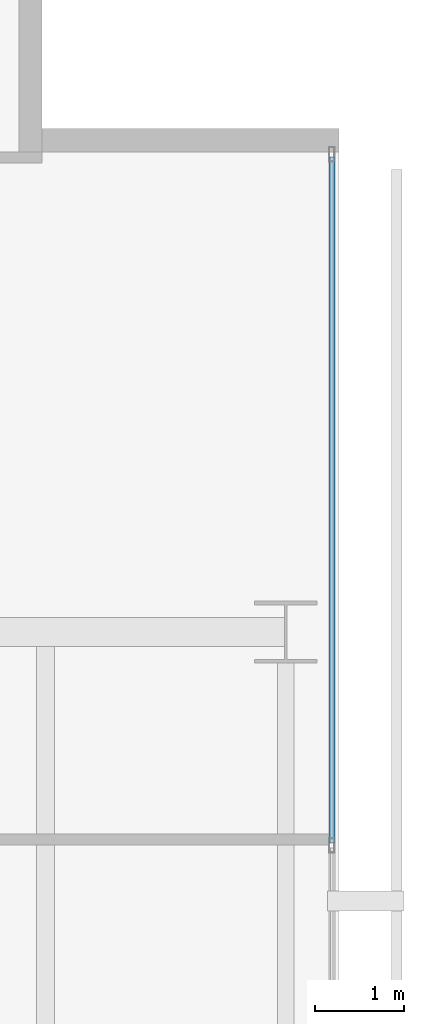
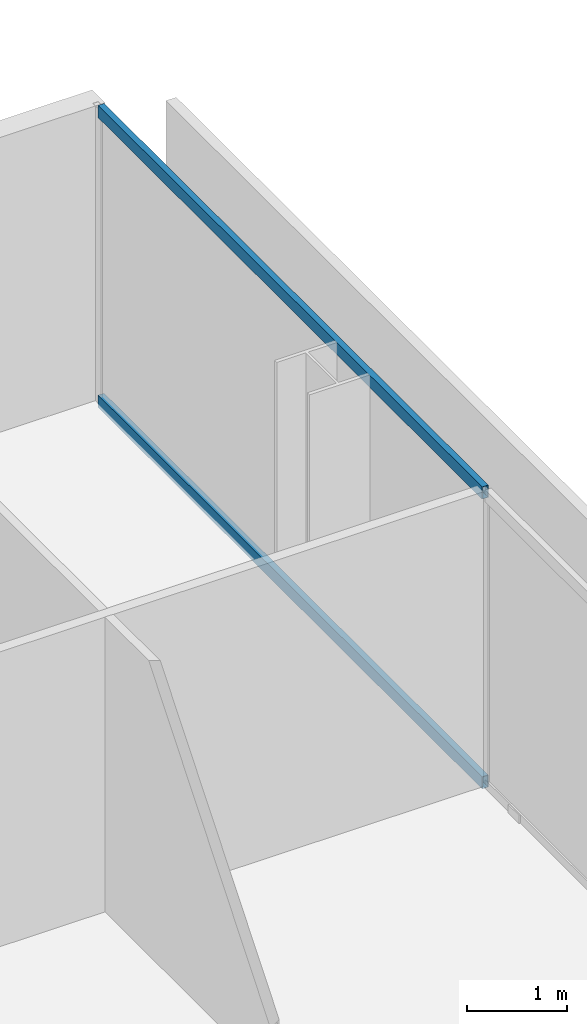
# One storey, part 29 of 40: 2 members, 1 element without a shape of its own.
"""IFC4 building model written with IfcOpenShell, lengths in metres."""

from ifc_helpers import new_model, si_unit, direction, frame, origin, origin_2d, place, context, subcontext, project, spatial, hollow_rectangle, extrude, material, layer, layer_set, material_profile, profile_set, type_object, element, aggregate, save


model = new_model("IFC4")

# Units and contexts
model_context = context("Model", 3, precision=1e-05, world=origin(), true_north=direction((0.0, 1.0)))
body_context = subcontext(model_context, "Body", "Model", "MODEL_VIEW")
ifc_project = project(units=[si_unit("LENGTHUNIT", "METRE"), si_unit("AREAUNIT", "SQUARE_METRE"), si_unit("VOLUMEUNIT", "CUBIC_METRE"), si_unit("PLANEANGLEUNIT", "RADIAN"), si_unit("MASSUNIT", "GRAM", prefix="KILO")], contexts=[model_context])

# Site, building, storey
site_placement = place(None, origin())
site = spatial("IfcSite", under=ifc_project, at=site_placement, CompositionType="ELEMENT")
building_placement = place(site_placement, origin())
building = spatial("IfcBuilding", under=site, at=building_placement, Name="Maruvema Waterfront Hotel and Observation Tower", CompositionType="ELEMENT")
storey_placement = place(building_placement, frame((0.0, 0.0, 34.64990234375)))
storey = spatial("IfcBuildingStorey", under=building, at=storey_placement, Name="L07", CompositionType="ELEMENT", Elevation=34.64990234375)

# Curtain wall, members
ifc_material_1 = material(Name="Anodised bronze aluminium and solar-control low-E IGU", Category="aluminium")
ifc_layer = layer(ifc_material_1, 0.159912109375, Name="Zone 1 Bronze Inner Thermal Curtain Wall System CW-02")
ifc_layer_set = layer_set([ifc_layer], Name="Anodised bronze aluminium and solar-control low-E IGU")
curtain_wall_type = type_object("IfcCurtainWallType", Name="Zone 1 Bronze Inner Thermal Curtain Wall System CW-02", PredefinedType="USERDEFINED", material=ifc_layer_set)
curtain_wall_placement = place(storey_placement, origin())
curtain_wall = element("IfcCurtainWall", 1, at=curtain_wall_placement, inside=storey, type_object=curtain_wall_type, Name="L07 Curtain Wall CW-L07-E", ObjectType="UNITISED CURTAIN WALL", PredefinedType="USERDEFINED")
ifc_material_2 = material(Name="Anodised architectural bronze aluminium", Category="aluminium")
ifc_material_profile = material_profile(ifc_material_2, hollow_rectangle(XDim=0.070068359375, YDim=0.14990234375, WallThickness=0.00390625, at=origin_2d()), Name="ALU-T70x150")
ifc_profile_set = profile_set([ifc_material_profile], Name="Anodised architectural bronze aluminium")
member_type = type_object("IfcMemberType", Name="Curtain Wall Horizontal Transom ALU-T70x150", PredefinedType="USERDEFINED", material=ifc_profile_set)
member_1_placement = place(storey_placement, frame((64.719970703125, 42.6298828125, 0.030029296875), z_axis=(0.0, 1.0, 0.0), x_axis=(-1.0, 0.0, 0.0)))
member_1 = element("IfcMember", 2, at=member_1_placement, type_object=member_type, Name="CW-02 transom 6.1", ObjectType="TRANSOM", PredefinedType="USERDEFINED", context=body_context, shape_type="SweptSolid", body=[
    extrude(hollow_rectangle(XDim=0.070068359375, YDim=0.14990234375, WallThickness=0.00390625, at=origin_2d()), origin(), (0.0, 0.0, 1.0), 7.710205078125),
])
member_2_placement = place(storey_placement, frame((64.719970703125, 42.6298828125, 3.580078125), z_axis=(0.0, 1.0, 0.0), x_axis=(-1.0, 0.0, 0.0)))
member_2 = element("IfcMember", 3, at=member_2_placement, type_object=member_type, Name="CW-02 transom 6.2", ObjectType="TRANSOM", PredefinedType="USERDEFINED", context=body_context, shape_type="SweptSolid", body=[
    extrude(hollow_rectangle(XDim=0.070068359375, YDim=0.14990234375, WallThickness=0.00390625, at=origin_2d()), origin(), (0.0, 0.0, 1.0), 7.710205078125),
])
aggregate(curtain_wall, [member_1, member_2])

save(model, "model.ifc")
